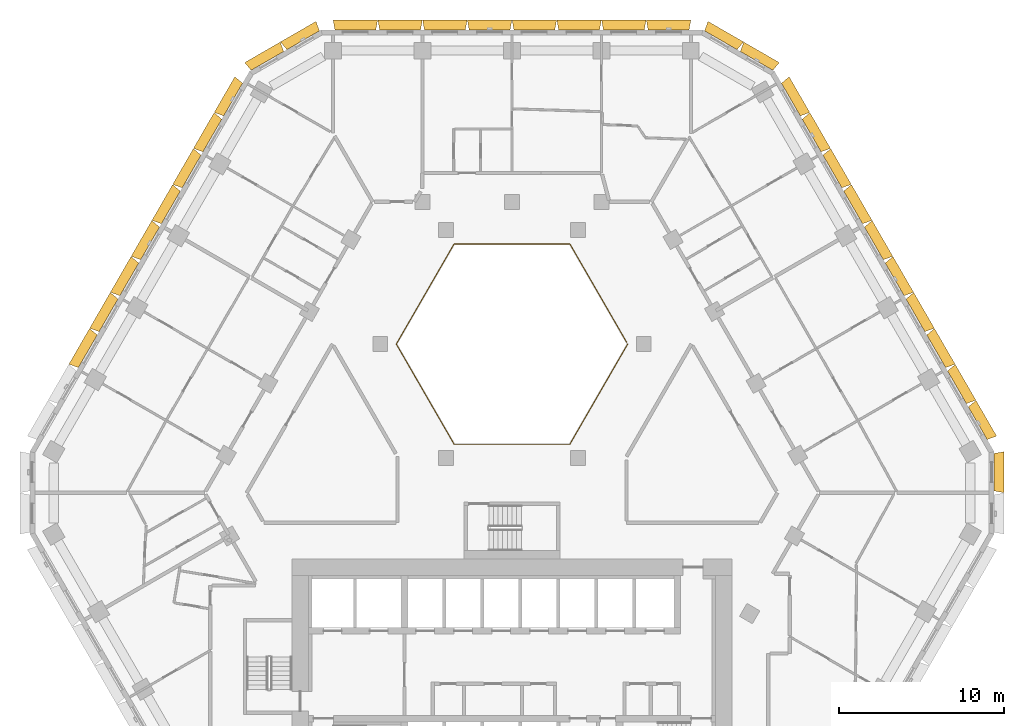
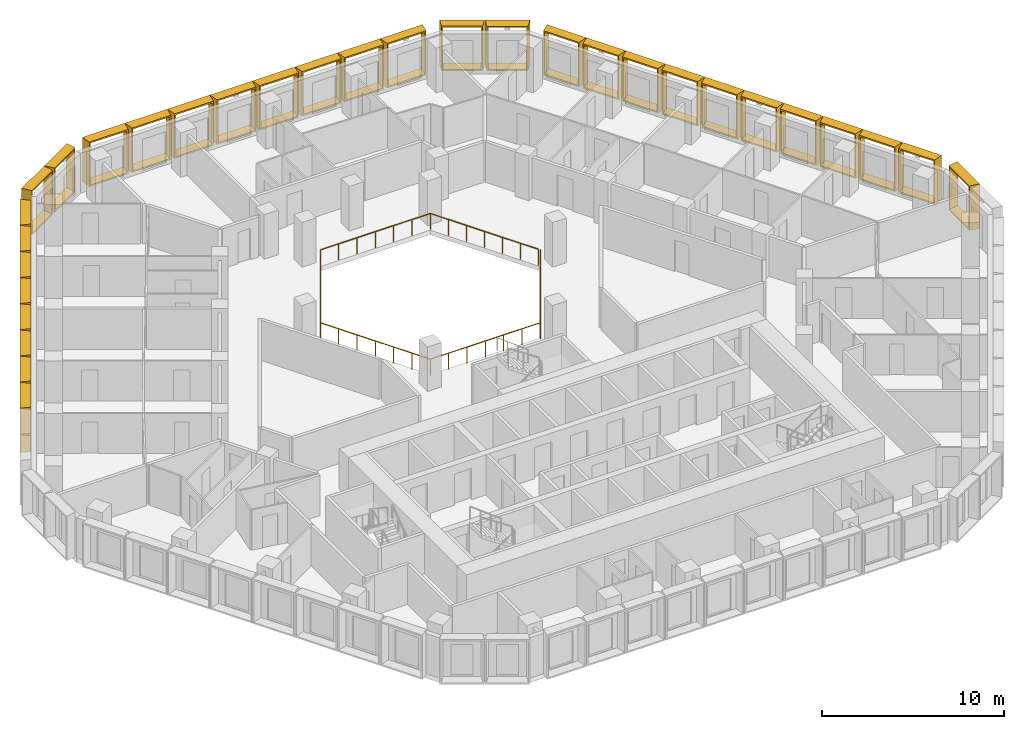
# One storey, part 18 of 18: 31 shading devices, 1 railing.
"""IFC4 building model written with IfcOpenShell, lengths in metres."""

from ifc_helpers import new_model, entity, si_unit, direction, frame, origin, origin_2d, place, context, subcontext, project, spatial, rectangle, extrude, source, transform, mapped, material, type_object, type_shapes, element, save


model = new_model("IFC4")

# Units and contexts
model_context = context("Model", 3, precision=1e-05, world=origin(), true_north=direction((0.0, 1.0)))
body_context = subcontext(model_context, "Body", "Model", "MODEL_VIEW")
ifc_project = project(units=[si_unit("LENGTHUNIT", "METRE"), si_unit("AREAUNIT", "SQUARE_METRE"), si_unit("VOLUMEUNIT", "CUBIC_METRE"), si_unit("PLANEANGLEUNIT", "RADIAN"), si_unit("MASSUNIT", "GRAM", prefix="KILO")], contexts=[model_context])

# Site, building, storey
site_placement = place(None, origin())
site = spatial("IfcSite", under=ifc_project, at=site_placement, CompositionType="ELEMENT")
building_placement = place(site_placement, origin())
building = spatial("IfcBuilding", under=site, at=building_placement, Name="Beryl Residences", CompositionType="ELEMENT")
storey_placement = place(building_placement, frame((0.0, 0.0, 93.0)))
storey = spatial("IfcBuildingStorey", under=building, at=storey_placement, Name="L28", CompositionType="ELEMENT", Elevation=93.0)

# Railing
ifc_material_1 = material(Name="Stainless steel balustrade with glass infill", Category="steel")
railing_type = type_object("IfcRailingType", Name="EG1 edge guard 1100 mm", PredefinedType="GUARDRAIL", material=ifc_material_1)
railing_placement = place(storey_placement, frame((6.9970703125, 8.0, 0.0)))
element("IfcRailing", 1, at=railing_placement, inside=storey, type_object=railing_type, Name="L28 atrium guard", PredefinedType="GUARDRAIL", context=body_context, shape_type="SweptSolid", body=[
    extrude(rectangle(XDim=0.048095703125, YDim=0.048095703125, at=origin_2d()), frame((0.0, 0.0, 1.076171875), z_axis=(-0.499921796684, -0.866070549782, 0.0), x_axis=(0.866070549782, -0.499921796684, 0.0)), (0.0, 0.0, 1.0), 6.9970703125),
    extrude(rectangle(XDim=0.048095703125, YDim=0.048095703125, at=origin_2d()), frame((-3.498046875, -6.06005859375, 1.076171875), z_axis=(-1.0, 0.0, 0.0), x_axis=(0.0, -1.0, 0.0)), (0.0, 0.0, 1.0), 6.998046875),
    extrude(rectangle(XDim=0.048095703125, YDim=0.048095703125, at=origin_2d()), frame((-10.49609375, -6.06005859375, 1.076171875), z_axis=(-0.499921796684, 0.866070549782, 0.0), x_axis=(-0.866070549782, -0.499921796684, 0.0)), (0.0, 0.0, 1.0), 6.9970703125),
    extrude(rectangle(XDim=0.048095703125, YDim=0.048095703125, at=origin_2d()), frame((-13.994140625, 0.0, 1.076171875), z_axis=(0.499921796684, 0.866070549782, 0.0), x_axis=(-0.866070549782, 0.499921796684, 0.0)), (0.0, 0.0, 1.0), 6.9970703125),
    extrude(rectangle(XDim=0.048095703125, YDim=0.048095703125, at=origin_2d()), frame((-10.49609375, 6.06005859375, 1.076171875), z_axis=(1.0, 0.0, 0.0), x_axis=(0.0, 1.0, 0.0)), (0.0, 0.0, 1.0), 6.998046875),
    extrude(rectangle(XDim=0.048095703125, YDim=0.048095703125, at=origin_2d()), frame((-3.498046875, 6.06005859375, 1.076171875), z_axis=(0.499919131929, -0.866072087953, 0.0), x_axis=(0.866072087953, 0.499919131929, 0.0)), (0.0, 0.0, 1.0), 6.877197265625),
    extrude(rectangle(XDim=0.0419921875, YDim=0.0419921875, at=origin_2d()), origin(), (0.0, 0.0, 1.0), 1.052001953125),
    extrude(rectangle(XDim=0.0419921875, YDim=0.0419921875, at=origin_2d()), frame((-0.5830078125, -1.010009765625, 0.0)), (0.0, 0.0, 1.0), 1.052001953125),
    extrude(rectangle(XDim=0.0419921875, YDim=0.0419921875, at=origin_2d()), frame((-1.166015625, -2.02001953125, 0.0)), (0.0, 0.0, 1.0), 1.052001953125),
    extrude(rectangle(XDim=0.0419921875, YDim=0.0419921875, at=origin_2d()), frame((-1.7490234375, -3.030029296875, 0.0)), (0.0, 0.0, 1.0), 1.052001953125),
    extrude(rectangle(XDim=0.0419921875, YDim=0.0419921875, at=origin_2d()), frame((-2.33203125, -4.0400390625, 0.0)), (0.0, 0.0, 1.0), 1.052001953125),
    extrude(rectangle(XDim=0.0419921875, YDim=0.0419921875, at=origin_2d()), frame((-2.9150390625, -5.050048828125, 0.0)), (0.0, 0.0, 1.0), 1.052001953125),
    extrude(rectangle(XDim=0.0419921875, YDim=0.0419921875, at=origin_2d()), frame((-3.498046875, -6.06005859375, 0.0)), (0.0, 0.0, 1.0), 1.052001953125),
    extrude(rectangle(XDim=0.0419921875, YDim=0.0419921875, at=origin_2d()), frame((-4.664306640625, -6.06005859375, 0.0)), (0.0, 0.0, 1.0), 1.052001953125),
    extrude(rectangle(XDim=0.0419921875, YDim=0.0419921875, at=origin_2d()), frame((-5.830810546875, -6.06005859375, 0.0)), (0.0, 0.0, 1.0), 1.052001953125),
    extrude(rectangle(XDim=0.0419921875, YDim=0.0419921875, at=origin_2d()), frame((-6.9970703125, -6.06005859375, 0.0)), (0.0, 0.0, 1.0), 1.052001953125),
    extrude(rectangle(XDim=0.0419921875, YDim=0.0419921875, at=origin_2d()), frame((-8.163330078125, -6.06005859375, 0.0)), (0.0, 0.0, 1.0), 1.052001953125),
    extrude(rectangle(XDim=0.0419921875, YDim=0.0419921875, at=origin_2d()), frame((-9.329833984375, -6.06005859375, 0.0)), (0.0, 0.0, 1.0), 1.052001953125),
    extrude(rectangle(XDim=0.0419921875, YDim=0.0419921875, at=origin_2d()), frame((-10.49609375, -6.06005859375, 0.0)), (0.0, 0.0, 1.0), 1.052001953125),
    extrude(rectangle(XDim=0.0419921875, YDim=0.0419921875, at=origin_2d()), frame((-11.0791015625, -5.050048828125, 0.0)), (0.0, 0.0, 1.0), 1.052001953125),
    extrude(rectangle(XDim=0.0419921875, YDim=0.0419921875, at=origin_2d()), frame((-11.662109375, -4.0400390625, 0.0)), (0.0, 0.0, 1.0), 1.052001953125),
    extrude(rectangle(XDim=0.0419921875, YDim=0.0419921875, at=origin_2d()), frame((-12.2451171875, -3.030029296875, 0.0)), (0.0, 0.0, 1.0), 1.052001953125),
    extrude(rectangle(XDim=0.0419921875, YDim=0.0419921875, at=origin_2d()), frame((-12.828125, -2.02001953125, 0.0)), (0.0, 0.0, 1.0), 1.052001953125),
    extrude(rectangle(XDim=0.0419921875, YDim=0.0419921875, at=origin_2d()), frame((-13.4111328125, -1.010009765625, 0.0)), (0.0, 0.0, 1.0), 1.052001953125),
    extrude(rectangle(XDim=0.0419921875, YDim=0.0419921875, at=origin_2d()), frame((-13.994140625, 0.0, 0.0)), (0.0, 0.0, 1.0), 1.052001953125),
    extrude(rectangle(XDim=0.0419921875, YDim=0.0419921875, at=origin_2d()), frame((-13.4111328125, 1.010009765625, 0.0)), (0.0, 0.0, 1.0), 1.052001953125),
    extrude(rectangle(XDim=0.0419921875, YDim=0.0419921875, at=origin_2d()), frame((-12.828125, 2.02001953125, 0.0)), (0.0, 0.0, 1.0), 1.052001953125),
    extrude(rectangle(XDim=0.0419921875, YDim=0.0419921875, at=origin_2d()), frame((-12.2451171875, 3.030029296875, 0.0)), (0.0, 0.0, 1.0), 1.052001953125),
    extrude(rectangle(XDim=0.0419921875, YDim=0.0419921875, at=origin_2d()), frame((-11.662109375, 4.0400390625, 0.0)), (0.0, 0.0, 1.0), 1.052001953125),
    extrude(rectangle(XDim=0.0419921875, YDim=0.0419921875, at=origin_2d()), frame((-11.0791015625, 5.050048828125, 0.0)), (0.0, 0.0, 1.0), 1.052001953125),
    extrude(rectangle(XDim=0.0419921875, YDim=0.0419921875, at=origin_2d()), frame((-10.49609375, 6.06005859375, 0.0)), (0.0, 0.0, 1.0), 1.052001953125),
    extrude(rectangle(XDim=0.0419921875, YDim=0.0419921875, at=origin_2d()), frame((-9.329833984375, 6.06005859375, 0.0)), (0.0, 0.0, 1.0), 1.052001953125),
    extrude(rectangle(XDim=0.0419921875, YDim=0.0419921875, at=origin_2d()), frame((-8.163330078125, 6.06005859375, 0.0)), (0.0, 0.0, 1.0), 1.052001953125),
    extrude(rectangle(XDim=0.0419921875, YDim=0.0419921875, at=origin_2d()), frame((-6.9970703125, 6.06005859375, 0.0)), (0.0, 0.0, 1.0), 1.052001953125),
    extrude(rectangle(XDim=0.0419921875, YDim=0.0419921875, at=origin_2d()), frame((-5.830810546875, 6.06005859375, 0.0)), (0.0, 0.0, 1.0), 1.052001953125),
    extrude(rectangle(XDim=0.0419921875, YDim=0.0419921875, at=origin_2d()), frame((-4.664306640625, 6.06005859375, 0.0)), (0.0, 0.0, 1.0), 1.052001953125),
    extrude(rectangle(XDim=0.0419921875, YDim=0.0419921875, at=origin_2d()), frame((-3.498046875, 6.06005859375, 0.0)), (0.0, 0.0, 1.0), 1.052001953125),
    extrude(rectangle(XDim=0.0419921875, YDim=0.0419921875, at=origin_2d()), frame((-2.925048828125, 5.0673828125, 0.0)), (0.0, 0.0, 1.0), 1.052001953125),
    extrude(rectangle(XDim=0.0419921875, YDim=0.0419921875, at=origin_2d()), frame((-2.35205078125, 4.07470703125, 0.0)), (0.0, 0.0, 1.0), 1.052001953125),
    extrude(rectangle(XDim=0.0419921875, YDim=0.0419921875, at=origin_2d()), frame((-1.779052734375, 3.08203125, 0.0)), (0.0, 0.0, 1.0), 1.052001953125),
    extrude(rectangle(XDim=0.0419921875, YDim=0.0419921875, at=origin_2d()), frame((-1.2060546875, 2.08935546875, 0.0)), (0.0, 0.0, 1.0), 1.052001953125),
    extrude(rectangle(XDim=0.0419921875, YDim=0.0419921875, at=origin_2d()), frame((-0.633056640625, 1.0966796875, 0.0)), (0.0, 0.0, 1.0), 1.052001953125),
    extrude(rectangle(XDim=0.0419921875, YDim=0.0419921875, at=origin_2d()), frame((-0.06005859375, 0.10400390625, 0.0)), (0.0, 0.0, 1.0), 1.052001953125),
])

# Shading devices
ifc_material_2 = material(Name="Aluminium pale anodised", Category="aluminium")
shading_device_type_1 = type_object("IfcShadingDeviceType", Name="FR250-60A OUTER SKIN frame 600 mm deep, splay 10/10 deg, 2500 x 3000 mm cell", PredefinedType="USERDEFINED", material=ifc_material_2)
cartesian_point_1 = entity("IfcCartesianPoint", [-1.134033203125, 0.0])
cartesian_point_2 = entity("IfcCartesianPoint", [-1.052734375, 0.10009765625])
cartesian_point_3 = entity("IfcCartesianPoint", [-1.23974609375, 0.0])
cartesian_point_4 = entity("IfcCartesianPoint", [-1.158447265625, 0.10009765625])
shared_shape_1 = source(origin(), body_context, "Body", "SweptSolid", [
    entity("IfcExtrudedAreaSolidTapered", entity("IfcArbitraryProfileDefWithVoids", "AREA", None, entity("IfcPolyline", [cartesian_point_1, entity("IfcCartesianPoint", [1.134033203125, 0.0]), entity("IfcCartesianPoint", [1.134033203125, 3.0]), entity("IfcCartesianPoint", [-1.134033203125, 3.0]), cartesian_point_1]), [entity("IfcPolyline", [cartesian_point_2, entity("IfcCartesianPoint", [1.052734375, 0.10009765625]), entity("IfcCartesianPoint", [1.052734375, 2.89990234375]), entity("IfcCartesianPoint", [-1.052734375, 2.89990234375]), cartesian_point_2])]), entity("IfcAxis2Placement3D", entity("IfcCartesianPoint", [0.0, 0.0, 0.0]), entity("IfcDirection", [0.0, 1.0, 0.0]), entity("IfcDirection", [-1.0, 0.0, 0.0])), entity("IfcDirection", [0.0, 0.0, 1.0]), 0.60009765625, entity("IfcArbitraryProfileDefWithVoids", "AREA", None, entity("IfcPolyline", [cartesian_point_3, entity("IfcCartesianPoint", [1.23974609375, 0.0]), entity("IfcCartesianPoint", [1.23974609375, 3.0]), entity("IfcCartesianPoint", [-1.23974609375, 3.0]), cartesian_point_3]), [entity("IfcPolyline", [cartesian_point_4, entity("IfcCartesianPoint", [1.158447265625, 0.10009765625]), entity("IfcCartesianPoint", [1.158447265625, 2.89990234375]), entity("IfcCartesianPoint", [-1.158447265625, 2.89990234375]), cartesian_point_4])])),
])
type_shapes(shading_device_type_1, [shared_shape_1])
for number, where, z_axis, x_axis, name in (
    (2, (-12.6298828125, 26.375, 0.0), (0.0, 0.0, 1.0), (0.866025403784, 0.5, 0.0), "FR250-60A frame L28 N-NW 1"),
    (3, (-14.7939453125, 25.125, 0.0), (0.0, 0.0, 1.0), (0.866025403784, 0.5, 0.0), "FR250-60A frame L28 N-NW 2"),
    (4, (29.156982421875, 0.25, 0.0), (0.0, 0.0, 1.0), (0.0, -1.0, 0.0), "FR250-60A frame L28 SE-NE 2"),
    (5, (14.7939453125, 25.125, 0.0), (0.0, 0.0, 1.0), (0.866025403784, -0.5, 0.0), "FR250-60A frame L28 NE-N 1"),
    (6, (12.6298828125, 26.375, 0.0), (0.0, 0.0, 1.0), (0.866025403784, -0.5, 0.0), "FR250-60A frame L28 NE-N 2"),
):
    element("IfcShadingDevice", number, at=place(storey_placement, frame(where, z_axis=z_axis, x_axis=x_axis)), inside=storey, type_object=shading_device_type_1, Name=name, ObjectType="OUTER SKIN", PredefinedType="USERDEFINED", context=body_context, shape_type="MappedRepresentation", body=[
        mapped(shared_shape_1, transform((0.0, 0.0, 0.0))),
    ])
ifc_material_3 = material(Name="Aluminium pale anodised", Category="aluminium")
shading_device_type_2 = type_object("IfcShadingDeviceType", Name="FR251-60A OUTER SKIN frame 600 mm deep, splay 10/10 deg, 2510 x 3000 mm cell", PredefinedType="USERDEFINED", material=ifc_material_3)
cartesian_point_5 = entity("IfcCartesianPoint", [-1.138916015625, 0.0])
cartesian_point_6 = entity("IfcCartesianPoint", [-1.057861328125, 0.10009765625])
cartesian_point_7 = entity("IfcCartesianPoint", [-1.244873046875, 0.0])
cartesian_point_8 = entity("IfcCartesianPoint", [-1.16357421875, 0.10009765625])
shared_shape_2 = source(origin(), body_context, "Body", "SweptSolid", [
    entity("IfcExtrudedAreaSolidTapered", entity("IfcArbitraryProfileDefWithVoids", "AREA", None, entity("IfcPolyline", [cartesian_point_5, entity("IfcCartesianPoint", [1.138916015625, 0.0]), entity("IfcCartesianPoint", [1.138916015625, 3.0]), entity("IfcCartesianPoint", [-1.138916015625, 3.0]), cartesian_point_5]), [entity("IfcPolyline", [cartesian_point_6, entity("IfcCartesianPoint", [1.057861328125, 0.10009765625]), entity("IfcCartesianPoint", [1.057861328125, 2.89990234375]), entity("IfcCartesianPoint", [-1.057861328125, 2.89990234375]), cartesian_point_6])]), entity("IfcAxis2Placement3D", entity("IfcCartesianPoint", [0.0, 0.0, 0.0]), entity("IfcDirection", [0.0, 1.0, 0.0]), entity("IfcDirection", [-1.0, 0.0, 0.0])), entity("IfcDirection", [0.0, 0.0, 1.0]), 0.60009765625, entity("IfcArbitraryProfileDefWithVoids", "AREA", None, entity("IfcPolyline", [cartesian_point_7, entity("IfcCartesianPoint", [1.244873046875, 0.0]), entity("IfcCartesianPoint", [1.244873046875, 3.0]), entity("IfcCartesianPoint", [-1.244873046875, 3.0]), cartesian_point_7]), [entity("IfcPolyline", [cartesian_point_8, entity("IfcCartesianPoint", [1.16357421875, 0.10009765625]), entity("IfcCartesianPoint", [1.16357421875, 2.89990234375]), entity("IfcCartesianPoint", [-1.16357421875, 2.89990234375]), cartesian_point_8])])),
])
type_shapes(shading_device_type_2, [shared_shape_2])
for number, where, z_axis, x_axis, name in (
    (7, (-16.865966796875, 22.7880859375, 0.0), (0.0, 0.0, 1.0), (0.5, 0.866025403784, 0.0), "FR251-60A frame L28 NW 1"),
    (8, (-18.1220703125, 20.613037109375, 0.0), (0.0, 0.0, 1.0), (0.5, 0.866025403784, 0.0), "FR251-60A frame L28 NW 2"),
    (9, (-19.376953125, 18.43798828125, 0.0), (0.0, 0.0, 1.0), (0.5, 0.866025403784, 0.0), "FR251-60A frame L28 NW 3"),
    (10, (-20.633056640625, 16.262939453125, 0.0), (0.0, 0.0, 1.0), (0.5, 0.866025403784, 0.0), "FR251-60A frame L28 NW 4"),
    (11, (-21.888916015625, 14.087890625, 0.0), (0.0, 0.0, 1.0), (0.5, 0.866025403784, 0.0), "FR251-60A frame L28 NW 5"),
    (12, (-23.14501953125, 11.9130859375, 0.0), (0.0, 0.0, 1.0), (0.5, 0.866025403784, 0.0), "FR251-60A frame L28 NW 6"),
    (13, (-24.39990234375, 9.738037109375, 0.0), (0.0, 0.0, 1.0), (0.5, 0.866025403784, 0.0), "FR251-60A frame L28 NW 7"),
    (14, (-25.656005859375, 7.56298828125, 0.0), (0.0, 0.0, 1.0), (0.5, 0.866025403784, 0.0), "FR251-60A frame L28 NW 8"),
    (15, (28.16796875, 3.2119140625, 0.0), (0.0, 0.0, 1.0), (0.5, -0.866025403784, 0.0), "FR251-60A frame L28 NE 1"),
    (16, (26.912109375, 5.386962890625, 0.0), (0.0, 0.0, 1.0), (0.5, -0.866025403784, 0.0), "FR251-60A frame L28 NE 2"),
    (17, (25.656982421875, 7.56201171875, 0.0), (0.0, 0.0, 1.0), (0.5, -0.866025403784, 0.0), "FR251-60A frame L28 NE 3"),
    (18, (24.40087890625, 9.737060546875, 0.0), (0.0, 0.0, 1.0), (0.5, -0.866025403784, 0.0), "FR251-60A frame L28 NE 4"),
    (19, (23.14501953125, 11.912109375, 0.0), (0.0, 0.0, 1.0), (0.5, -0.866025403784, 0.0), "FR251-60A frame L28 NE 5"),
    (20, (21.888916015625, 14.0869140625, 0.0), (0.0, 0.0, 1.0), (0.5, -0.866025403784, 0.0), "FR251-60A frame L28 NE 6"),
    (21, (20.634033203125, 16.261962890625, 0.0), (0.0, 0.0, 1.0), (0.5, -0.866025403784, 0.0), "FR251-60A frame L28 NE 7"),
    (22, (19.3779296875, 18.43701171875, 0.0), (0.0, 0.0, 1.0), (0.5, -0.866025403784, 0.0), "FR251-60A frame L28 NE 8"),
    (23, (18.1220703125, 20.612060546875, 0.0), (0.0, 0.0, 1.0), (0.5, -0.866025403784, 0.0), "FR251-60A frame L28 NE 9"),
    (24, (16.865966796875, 22.787109375, 0.0), (0.0, 0.0, 1.0), (0.5, -0.866025403784, 0.0), "FR251-60A frame L28 NE 10"),
):
    element("IfcShadingDevice", number, at=place(storey_placement, frame(where, z_axis=z_axis, x_axis=x_axis)), inside=storey, type_object=shading_device_type_2, Name=name, ObjectType="OUTER SKIN", PredefinedType="USERDEFINED", context=body_context, shape_type="MappedRepresentation", body=[
        mapped(shared_shape_2, transform((0.0, 0.0, 0.0))),
    ])
ifc_material_4 = material(Name="Aluminium pale anodised", Category="aluminium")
shading_device_type_3 = type_object("IfcShadingDeviceType", Name="FR271-60A OUTER SKIN frame 600 mm deep, splay 10/10 deg, 2710 x 3000 mm cell", PredefinedType="USERDEFINED", material=ifc_material_4)
cartesian_point_9 = entity("IfcCartesianPoint", [-1.239013671875, 0.0])
cartesian_point_10 = entity("IfcCartesianPoint", [-1.15771484375, 0.10009765625])
cartesian_point_11 = entity("IfcCartesianPoint", [-1.3447265625, 0.0])
cartesian_point_12 = entity("IfcCartesianPoint", [-1.263671875, 0.10009765625])
shared_shape_3 = source(origin(), body_context, "Body", "SweptSolid", [
    entity("IfcExtrudedAreaSolidTapered", entity("IfcArbitraryProfileDefWithVoids", "AREA", None, entity("IfcPolyline", [cartesian_point_9, entity("IfcCartesianPoint", [1.239013671875, 0.0]), entity("IfcCartesianPoint", [1.239013671875, 3.0]), entity("IfcCartesianPoint", [-1.239013671875, 3.0]), cartesian_point_9]), [entity("IfcPolyline", [cartesian_point_10, entity("IfcCartesianPoint", [1.15771484375, 0.10009765625]), entity("IfcCartesianPoint", [1.15771484375, 2.89990234375]), entity("IfcCartesianPoint", [-1.15771484375, 2.89990234375]), cartesian_point_10])]), entity("IfcAxis2Placement3D", entity("IfcCartesianPoint", [0.0, 0.0, 0.0]), entity("IfcDirection", [0.0, 1.0, 0.0]), entity("IfcDirection", [-1.0, 0.0, 0.0])), entity("IfcDirection", [0.0, 0.0, 1.0]), 0.60009765625, entity("IfcArbitraryProfileDefWithVoids", "AREA", None, entity("IfcPolyline", [cartesian_point_11, entity("IfcCartesianPoint", [1.3447265625, 0.0]), entity("IfcCartesianPoint", [1.3447265625, 3.0]), entity("IfcCartesianPoint", [-1.3447265625, 3.0]), cartesian_point_11]), [entity("IfcPolyline", [cartesian_point_12, entity("IfcCartesianPoint", [1.263671875, 0.10009765625]), entity("IfcCartesianPoint", [1.263671875, 2.89990234375]), entity("IfcCartesianPoint", [-1.263671875, 2.89990234375]), cartesian_point_12])])),
])
type_shapes(shading_device_type_3, [shared_shape_3])
for number, where, z_axis, x_axis, name in (
    (25, (9.471923828125, 27.0, 0.0), (0.0, 0.0, 1.0), (1.0, 0.0, 0.0), "FR271-60A frame L28 N 1"),
    (26, (6.764892578125, 27.0, 0.0), (0.0, 0.0, 1.0), (1.0, 0.0, 0.0), "FR271-60A frame L28 N 2"),
    (27, (4.05908203125, 27.0, 0.0), (0.0, 0.0, 1.0), (1.0, 0.0, 0.0), "FR271-60A frame L28 N 3"),
    (28, (1.35205078125, 27.0, 0.0), (0.0, 0.0, 1.0), (1.0, 0.0, 0.0), "FR271-60A frame L28 N 4"),
    (29, (-1.35400390625, 27.0, 0.0), (0.0, 0.0, 1.0), (1.0, 0.0, 0.0), "FR271-60A frame L28 N 5"),
    (30, (-4.06103515625, 27.0, 0.0), (0.0, 0.0, 1.0), (1.0, 0.0, 0.0), "FR271-60A frame L28 N 6"),
    (31, (-6.76708984375, 27.0, 0.0), (0.0, 0.0, 1.0), (1.0, 0.0, 0.0), "FR271-60A frame L28 N 7"),
    (32, (-9.47412109375, 27.0, 0.0), (0.0, 0.0, 1.0), (1.0, 0.0, 0.0), "FR271-60A frame L28 N 8"),
):
    element("IfcShadingDevice", number, at=place(storey_placement, frame(where, z_axis=z_axis, x_axis=x_axis)), inside=storey, type_object=shading_device_type_3, Name=name, ObjectType="OUTER SKIN", PredefinedType="USERDEFINED", context=body_context, shape_type="MappedRepresentation", body=[
        mapped(shared_shape_3, transform((0.0, 0.0, 0.0))),
    ])

save(model, "model.ifc")
